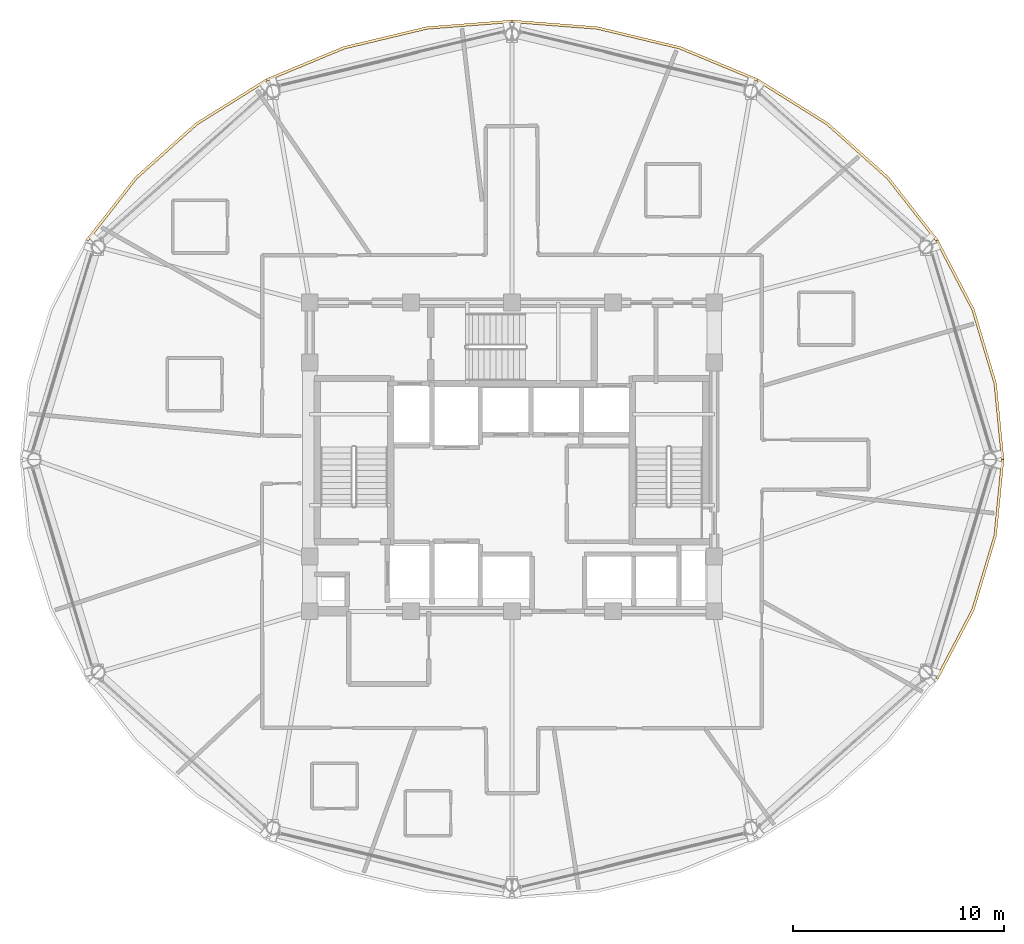
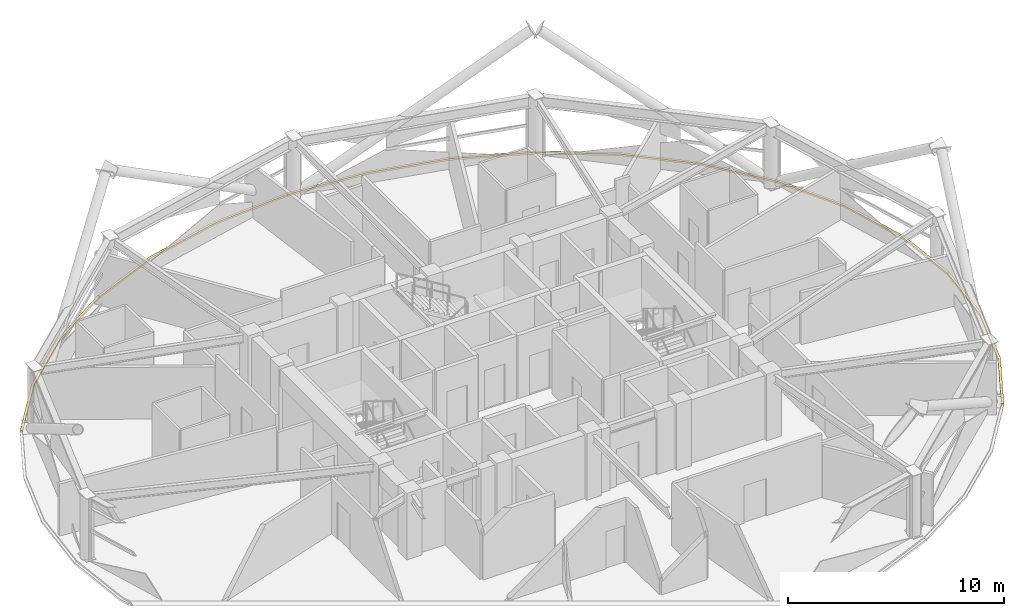
# One storey, part 30 of 30: 6 coverings.
"""IFC4 building model written with IfcOpenShell, lengths in metres."""

from ifc_helpers import new_model, si_unit, direction, frame, origin, place, context, subcontext, project, spatial, polyline, outline, extrude, material, layer, layer_set, type_object, element, save


model = new_model("IFC4")

# Units and contexts
model_context = context("Model", 3, precision=1e-05, world=origin(), true_north=direction((0.0, 1.0)))
body_context = subcontext(model_context, "Body", "Model", "MODEL_VIEW")
ifc_project = project(units=[si_unit("LENGTHUNIT", "METRE"), si_unit("AREAUNIT", "SQUARE_METRE"), si_unit("VOLUMEUNIT", "CUBIC_METRE"), si_unit("PLANEANGLEUNIT", "RADIAN"), si_unit("MASSUNIT", "GRAM", prefix="KILO")], contexts=[model_context])

# Site, building, storey
site_placement = place(None, origin())
site = spatial("IfcSite", under=ifc_project, at=site_placement, CompositionType="ELEMENT")
building_placement = place(site_placement, origin())
building = spatial("IfcBuilding", under=site, at=building_placement, Name="Vantalir Tower", CompositionType="ELEMENT")
storey_placement = place(building_placement, frame((0.0, 0.0, 189.89990234375)))
storey = spatial("IfcBuildingStorey", under=building, at=storey_placement, Name="L47", CompositionType="ELEMENT", Elevation=189.89990234375)

# Coverings
ifc_material = material(Name="Anodised champagne aluminium sill fascia", Category="aluminium")
ifc_layer = layer(ifc_material, 0.125)
ifc_layer_set = layer_set([ifc_layer], Name="Anodised champagne aluminium sill fascia")
covering_type = type_object("IfcCoveringType", Name="COV-SLAB-FASCIA-125", PredefinedType="CLADDING", material=ifc_layer_set)
covering_1_placement = place(storey_placement, frame((0.0, 0.0, -0.179931640625)))
element("IfcCovering", 1, at=covering_1_placement, inside=storey, type_object=covering_type, Name="L47 Perimeter Slab-Edge Sill Fascia 01", PredefinedType="CLADDING", context=body_context, shape_type="SweptSolid", body=[
    extrude(outline(polyline([(54.85107421875, 25.0), (54.49609375, 28.623046875), (53.443115234375, 32.135986328125), (51.722900390625, 35.430908203125), (51.614013671875, 35.368896484375), (53.324951171875, 32.093017578125), (54.373046875, 28.60107421875), (54.72607421875, 25.0), (54.85107421875, 25.0)])), origin(), (0.0, 0.0, 1.0), 0.10498046875),
])
covering_2_placement = place(storey_placement, frame((0.0, 0.0, -0.179931640625)))
element("IfcCovering", 2, at=covering_2_placement, inside=storey, type_object=covering_type, Name="L47 Perimeter Slab-Edge Sill Fascia 02", PredefinedType="CLADDING", context=body_context, shape_type="SweptSolid", body=[
    extrude(outline(polyline([(51.722900390625, 35.430908203125), (49.387939453125, 38.409912109375), (46.510009765625, 40.98193359375), (43.176025390625, 43.068115234375), (43.113037109375, 42.9599609375), (46.428955078125, 40.885986328125), (49.2919921875, 38.330078125), (51.614013671875, 35.368896484375), (51.722900390625, 35.430908203125)])), origin(), (0.0, 0.0, 1.0), 0.10498046875),
])
covering_3_placement = place(storey_placement, frame((0.0, 0.0, -0.179931640625)))
element("IfcCovering", 3, at=covering_3_placement, inside=storey, type_object=covering_type, Name="L47 Perimeter Slab-Edge Sill Fascia 03", PredefinedType="CLADDING", context=body_context, shape_type="SweptSolid", body=[
    extrude(outline(polyline([(43.176025390625, 43.068115234375), (39.487060546875, 44.60498046875), (35.554931640625, 45.5458984375), (31.5, 45.863037109375), (31.5, 45.738037109375), (35.532958984375, 45.423095703125), (39.444091796875, 44.487060546875), (43.113037109375, 42.9599609375), (43.176025390625, 43.068115234375)])), origin(), (0.0, 0.0, 1.0), 0.10498046875),
])
covering_4_placement = place(storey_placement, frame((0.0, 0.0, -0.179931640625)))
element("IfcCovering", 4, at=covering_4_placement, inside=storey, type_object=covering_type, Name="L47 Perimeter Slab-Edge Sill Fascia 04", PredefinedType="CLADDING", context=body_context, shape_type="SweptSolid", body=[
    extrude(outline(polyline([(31.5, 45.863037109375), (27.445068359375, 45.5458984375), (23.512939453125, 44.60498046875), (19.824951171875, 43.068115234375), (19.886962890625, 42.9599609375), (23.555908203125, 44.487060546875), (27.467041015625, 45.423095703125), (31.5, 45.738037109375), (31.5, 45.863037109375)])), origin(), (0.0, 0.0, 1.0), 0.10498046875),
])
covering_5_placement = place(storey_placement, frame((0.0, 0.0, -0.179931640625)))
element("IfcCovering", 5, at=covering_5_placement, inside=storey, type_object=covering_type, Name="L47 Perimeter Slab-Edge Sill Fascia 05", PredefinedType="CLADDING", context=body_context, shape_type="SweptSolid", body=[
    extrude(outline(polyline([(19.824951171875, 43.068115234375), (16.489990234375, 40.98193359375), (13.612060546875, 38.409912109375), (11.277099609375, 35.430908203125), (11.385986328125, 35.368896484375), (13.7080078125, 38.330078125), (16.571044921875, 40.885986328125), (19.886962890625, 42.9599609375), (19.824951171875, 43.068115234375)])), origin(), (0.0, 0.0, 1.0), 0.10498046875),
])
covering_6_placement = place(storey_placement, frame((0.0, 0.0, -0.179931640625)))
element("IfcCovering", 6, at=covering_6_placement, inside=storey, type_object=covering_type, Name="L47 Perimeter Slab-Edge Sill Fascia 12", PredefinedType="CLADDING", context=body_context, shape_type="SweptSolid", body=[
    extrude(outline(polyline([(51.722900390625, 14.568115234375), (53.443115234375, 17.864013671875), (54.49609375, 21.376953125), (54.85107421875, 25.0), (54.72607421875, 25.0), (54.373046875, 21.39892578125), (53.324951171875, 17.906982421875), (51.614013671875, 14.631103515625), (51.722900390625, 14.568115234375)])), origin(), (0.0, 0.0, 1.0), 0.10498046875),
])

save(model, "model.ifc")
